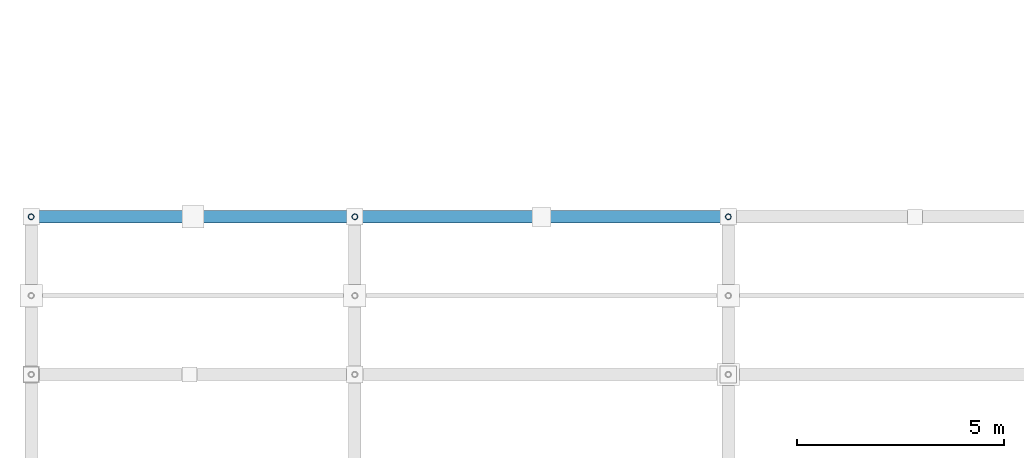
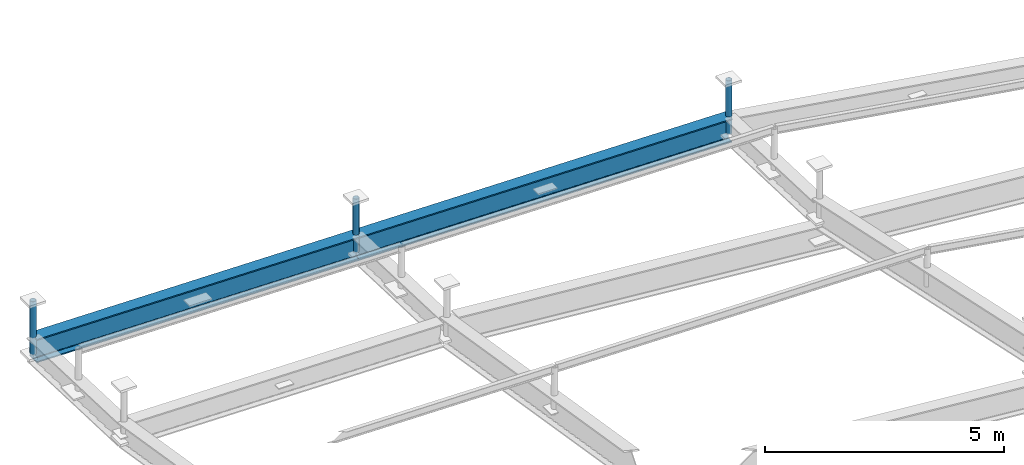
# One storey, part 60 of 80: 3 members, 2 beams.
"""IFC4 building model written with IfcOpenShell, lengths in metres."""

from ifc_helpers import new_model, si_unit, direction, frame, origin, origin_2d, place, context, subcontext, project, spatial, hollow_circle, i_section, extrude, material, material_profile, profile_set, type_object, element, save


model = new_model("IFC4")

# Units and contexts
model_context = context("Model", 3, precision=1e-05, world=origin(), true_north=direction((0.0, 1.0)))
body_context = subcontext(model_context, "Body", "Model", "MODEL_VIEW")
ifc_project = project(units=[si_unit("LENGTHUNIT", "METRE"), si_unit("AREAUNIT", "SQUARE_METRE"), si_unit("VOLUMEUNIT", "CUBIC_METRE"), si_unit("PLANEANGLEUNIT", "RADIAN"), si_unit("MASSUNIT", "GRAM", prefix="KILO")], contexts=[model_context])

# Site, building, storey
site_placement = place(None, origin())
site = spatial("IfcSite", under=ifc_project, at=site_placement, CompositionType="ELEMENT")
building_placement = place(site_placement, origin())
building = spatial("IfcBuilding", under=site, at=building_placement, Name="Barlavento Convention Centre", CompositionType="ELEMENT")
storey_placement = place(building_placement, frame((0.0, 0.0, 29.800048828125)))
storey = spatial("IfcBuildingStorey", under=building, at=storey_placement, Name="RF", CompositionType="ELEMENT", Elevation=29.800048828125)

# Beams
ifc_material = material(Name="Steel S355", Category="steel")
ifc_material_profile_1 = material_profile(ifc_material, i_section(OverallWidth=0.300048828125, OverallDepth=0.60009765625, WebThickness=0.015380859375, FlangeThickness=0.030029296875, FilletRadius=0.027099609375, at=origin_2d()), Name="HEB 600")
ifc_profile_set_1 = profile_set([ifc_material_profile_1], Name="Steel S355")
beam_type = type_object("IfcBeamType", Name="STR-BM-CANT-HEB600", PredefinedType="BEAM", material=ifc_profile_set_1)
beam_1_placement = place(storey_placement, frame((-7.794921875, 57.800048828125, -4.800048828125), z_axis=(0.999894739787, 0.0, -0.014508940219), x_axis=(0.0, 1.0, 0.0)))
element("IfcBeam", 1, at=beam_1_placement, inside=storey, type_object=beam_type, Name="Congress roof truss space frame chord", PredefinedType="BEAM", context=body_context, shape_type="SweptSolid", body=[
    extrude(i_section(OverallWidth=0.300048828125, OverallDepth=0.60009765625, WebThickness=0.015380859375, FlangeThickness=0.030029296875, FilletRadius=0.027099609375, at=origin_2d()), origin(), (0.0, 0.0, 1.0), 7.790771484375),
])
beam_2_placement = place(storey_placement, frame((0.0048828125, 57.800048828125, -4.9130859375), z_axis=(0.999894477056, 0.0, -0.014527035228), x_axis=(0.0, 1.0, 0.0)))
element("IfcBeam", 2, at=beam_2_placement, inside=storey, type_object=beam_type, Name="Congress roof truss space frame chord", PredefinedType="BEAM", context=body_context, shape_type="SweptSolid", body=[
    extrude(i_section(OverallWidth=0.300048828125, OverallDepth=0.60009765625, WebThickness=0.015380859375, FlangeThickness=0.030029296875, FilletRadius=0.027099609375, at=origin_2d()), origin(), (0.0, 0.0, 1.0), 8.9912109375),
])

# Members
ifc_material_profile_2 = material_profile(ifc_material, hollow_circle(Radius=0.06982421875, WallThickness=0.008056640625, at=origin_2d()), Name="CHS 139.7x8.0")
ifc_profile_set_2 = profile_set([ifc_material_profile_2], Name="Steel S355")
member_type = type_object("IfcMemberType", Name="STR-MEM-DIAG-CHS139", PredefinedType="BRACE", material=ifc_profile_set_2)
member_placement = place(storey_placement, frame((-7.800048828125, 57.800048828125, -4.949951171875), z_axis=(0.0, 0.0, 1.0), x_axis=(1.0, 0.0, 0.0)))
element("IfcMember", 3, at=member_placement, inside=storey, type_object=member_type, Name="Congress space frame vertical node post TD04", PredefinedType="BRACE", context=body_context, shape_type="SweptSolid", body=[
    extrude(hollow_circle(Radius=0.06982421875, WallThickness=0.008056640625, at=origin_2d()), origin(), (0.0, 0.0, 1.0), 1.369873046875),
])
for number, where, z_axis, x_axis, name in (
    (4, (0.0, 57.800048828125, -5.063232421875), (0.0, 0.0, 1.0), (1.0, 0.0, 0.0), "Congress space frame vertical node post TD04"),
    (5, (9.0, 57.800048828125, -5.19384765625), (0.0, 0.0, 1.0), (1.0, 0.0, 0.0), "Congress space frame vertical node post TD04"),
):
    element("IfcMember", number, at=place(storey_placement, frame(where, z_axis=z_axis, x_axis=x_axis)), inside=storey, type_object=member_type, Name=name, PredefinedType="BRACE", context=body_context, shape_type="SweptSolid", body=[
        extrude(hollow_circle(Radius=0.06982421875, WallThickness=0.008056640625, at=origin_2d()), origin(), (0.0, 0.0, 1.0), 1.3701171875),
    ])

save(model, "model.ifc")
